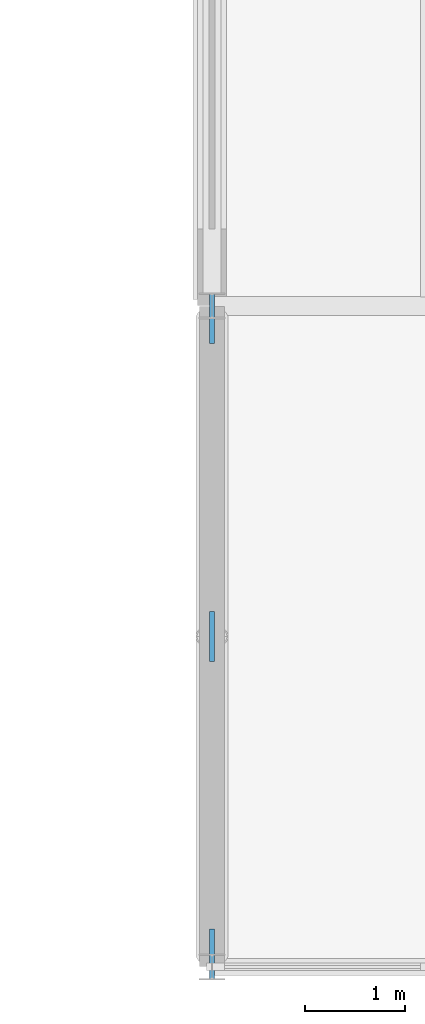
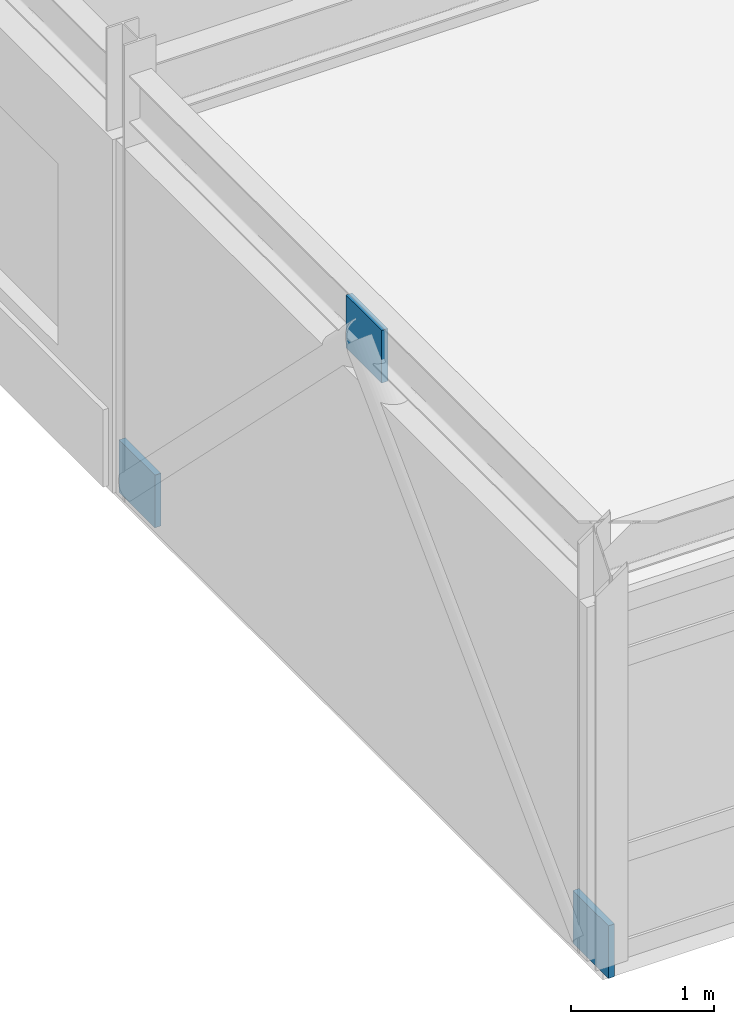
# One storey, part 16 of 26: 3 plates.
"""IFC4 building model written with IfcOpenShell, lengths in metres."""

import ifcopenshell
import ifcopenshell.guid

model = None  # the IFC model being written
_history = None  # IfcOwnerHistory: only IFC2X3 demands one
_inside = {}  # id of a spatial element -> (the spatial element, [elements in it])
_under = {}  # id of a project, library or spatial element -> (it, [spatial elements below it])
_declared = {}  # id of a project -> (the project, [libraries it declares])
_typed = {}  # id of a type object -> (the type object, [elements of that type])
_made_of = {}  # id of a material, layer set ... -> (it, [elements and type objects made of it])


def new_model(schema):
    """Start an empty IFC model of exactly this schema.

    Asked for "IFC4X3", IfcOpenShell would pick the latest addendum, in which some entities
    have other attributes; the version numbers below select the first issue.
    IFC2X3 requires an IfcOwnerHistory on every rooted entity: one is made here for all.
    """
    global model, _history
    if schema == "IFC4X3":
        model = ifcopenshell.file(schema_version=(4, 3, 0, 0))
    else:
        model = ifcopenshell.file(schema=schema)
    _inside.clear()
    _under.clear()
    _declared.clear()
    _typed.clear()
    _made_of.clear()
    _history = None
    if model.schema == "IFC2X3":
        org = make("IfcOrganization", Name="unknown")
        user = make(
            "IfcPersonAndOrganization",
            ThePerson=make("IfcPerson", FamilyName="unknown"),
            TheOrganization=org,
        )
        app = make(
            "IfcApplication",
            ApplicationDeveloper=org,
            Version="unknown",
            ApplicationFullName="unknown",
            ApplicationIdentifier="unknown",
        )
        _history = make(
            "IfcOwnerHistory",
            OwningUser=user,
            OwningApplication=app,
            ChangeAction="ADDED",
            CreationDate=0,
        )
    return model


def make(cls, **values):
    """One entity of the class cls with the attributes given. An attribute that is None is left unset."""
    return model.create_entity(
        cls, **{name: value for name, value in values.items() if value is not None}
    )


def rooted(cls, **values):
    """An entity with a GlobalId (a new one), such as an element, a storey or a relation."""
    return make(cls, GlobalId=ifcopenshell.guid.new(), OwnerHistory=_history, **values)


def si_unit(unit_type, name, prefix=None):
    """IfcSIUnit, for example si_unit("LENGTHUNIT", "METRE", prefix="MILLI")."""
    return make("IfcSIUnit", UnitType=unit_type, Prefix=prefix, Name=name)


def assignment(units):
    """IfcUnitAssignment: the units of a project."""
    return None if units is None else make("IfcUnitAssignment", Units=units)


def point(xyz):
    """IfcCartesianPoint."""
    return None if xyz is None else make("IfcCartesianPoint", Coordinates=xyz)


def direction(xyz):
    """IfcDirection."""
    return None if xyz is None else make("IfcDirection", DirectionRatios=xyz)


def frame(location, z_axis=None, x_axis=None):
    """IfcAxis2Placement3D, a coordinate frame: its origin and axes. An axis left out is left unset."""
    return make(
        "IfcAxis2Placement3D",
        Location=point(location),
        Axis=direction(z_axis),
        RefDirection=direction(x_axis),
    )


def frame_2d(location, x_axis=None):
    """IfcAxis2Placement2D, a coordinate frame in the plane: its origin and x axis."""
    return make(
        "IfcAxis2Placement2D", Location=point(location), RefDirection=direction(x_axis)
    )


def origin():
    """The frame at (0, 0, 0) with its axes left unset."""
    return frame((0.0, 0.0, 0.0))


def origin_2d():
    """The frame at (0, 0) in the plane with its x axis left unset."""
    return frame_2d((0.0, 0.0))


def place(relative_to, where):
    """IfcLocalPlacement: puts the frame where relative to a parent placement (None: the world)."""
    return make(
        "IfcLocalPlacement", PlacementRelTo=relative_to, RelativePlacement=where
    )


def context(
    kind, dimensions, precision=None, world=None, true_north=None, identifier=None
):
    """IfcGeometricRepresentationContext, for example the 3D "Model" context."""
    return make(
        "IfcGeometricRepresentationContext",
        ContextIdentifier=identifier,
        ContextType=kind,
        CoordinateSpaceDimension=dimensions,
        Precision=precision,
        WorldCoordinateSystem=world,
        TrueNorth=true_north,
    )


def subcontext(parent, identifier, kind, view, scale=None):
    """IfcGeometricRepresentationSubContext, for example "Body" below "Model"."""
    return make(
        "IfcGeometricRepresentationSubContext",
        ContextIdentifier=identifier,
        ContextType=kind,
        ParentContext=parent,
        TargetScale=scale,
        TargetView=view,
    )


def project(units=None, contexts=None):
    """IfcProject with its units and contexts."""
    return rooted(
        "IfcProject",
        Name="project",
        RepresentationContexts=contexts,
        UnitsInContext=assignment(units),
    )


def spatial(cls, under=None, at=None, **own):
    """A site, building, storey or space (cls), placed at a placement, below another one or the project."""
    s = rooted(cls, ObjectPlacement=at, **own)
    if under is not None:
        _under.setdefault(under.id(), (under, []))[1].append(s)
    return s


def profile(cls, at=None, kind="AREA", **sizes):
    """A parametric profile (cls). Its sizes go by their IFC names, for example OverallWidth=200.0."""
    return make(cls, ProfileType=kind, Position=at, **sizes)


def rectangle(**sizes):
    """IfcRectangleProfileDef."""
    return profile("IfcRectangleProfileDef", **sizes)


def extrude(swept, where, along, depth):
    """IfcExtrudedAreaSolid: the profile swept, set in the frame where, extruded along a direction by depth."""
    return make(
        "IfcExtrudedAreaSolid",
        SweptArea=swept,
        Position=where,
        ExtrudedDirection=direction(along),
        Depth=depth,
    )


def shape(context_of_items, identifier, shape_type, items):
    """IfcShapeRepresentation: the items that make up one representation, for example the "Body"."""
    return make(
        "IfcShapeRepresentation",
        ContextOfItems=context_of_items,
        RepresentationIdentifier=identifier,
        RepresentationType=shape_type,
        Items=items,
    )


def material(Name=None, Category=None):
    """IfcMaterial."""
    return make("IfcMaterial", Name=Name, Category=Category)


def layer(
    of_material, thickness, ventilated=None, Name=None, Category=None, Priority=None
):
    """IfcMaterialLayer: one layer of a wall or slab, of a material (None: an air gap)."""
    return make(
        "IfcMaterialLayer",
        Material=of_material,
        LayerThickness=thickness,
        IsVentilated=ventilated,
        Name=Name,
        Category=Category,
        Priority=Priority,
    )


def layer_set(layers, Name=None):
    """IfcMaterialLayerSet."""
    return make("IfcMaterialLayerSet", MaterialLayers=layers, LayerSetName=Name)


def made_of(thing, what):
    """Note that an element or type object is made of a material, layer set ...; save() writes the relation."""
    if what is not None:
        _made_of.setdefault(what.id(), (what, []))[1].append(thing)
    return thing


def type_object(cls, material=None, **own):
    """A type object (cls), such as IfcWallType, which elements share."""
    return made_of(rooted(cls, **own), material)


def element(
    cls,
    number,
    at=None,
    inside=None,
    cuts=None,
    type_object=None,
    material=None,
    context=None,
    identifier="Body",
    shape_type=None,
    held_by="IfcProductDefinitionShape",
    body=None,
    shapes=None,
    **own,
):
    """One element of the class cls, such as IfcWall. Its Tag is "e" and its number.

    at: its placement. inside: the storey or other place that contains it. cuts: it is an
    opening in that element (IfcRelVoidsElement). A single representation is given by context,
    identifier, shape_type and body (its items); several are given by shapes. held_by: the class
    of the entity that holds the representations. save() writes the other relations.
    """
    e = rooted(cls, Tag="e%d" % number, ObjectPlacement=at, **own)
    if body is not None:
        shapes = [shape(context, identifier, shape_type, body)]
    if shapes is not None:
        e.Representation = make(held_by, Representations=shapes)
    if inside is not None:
        _inside.setdefault(inside.id(), (inside, []))[1].append(e)
    if cuts is not None:
        rooted(
            "IfcRelVoidsElement", RelatingBuildingElement=cuts, RelatedOpeningElement=e
        )
    if type_object is not None:
        _typed.setdefault(type_object.id(), (type_object, []))[1].append(e)
    return made_of(e, material)


def aggregate(whole, parts):
    """IfcRelAggregates: a whole, such as a stair, and the parts it consists of."""
    return rooted("IfcRelAggregates", RelatingObject=whole, RelatedObjects=parts)


def save(model, path):
    """Write the relations noted so far, then the file.

    IfcRelAggregates (storeys below a building ...), IfcRelContainedInSpatialStructure (elements
    in a storey), IfcRelDefinesByType, IfcRelAssociatesMaterial and IfcRelDeclares: one each for
    every whole, place, type object, material and project.
    """
    for whole, parts in _under.values():
        aggregate(whole, parts)
    for where, things in _inside.values():
        rooted(
            "IfcRelContainedInSpatialStructure",
            RelatedElements=things,
            RelatingStructure=where,
        )
    for kind, things in _typed.values():
        rooted("IfcRelDefinesByType", RelatedObjects=things, RelatingType=kind)
    for what, things in _made_of.values():
        rooted("IfcRelAssociatesMaterial", RelatedObjects=things, RelatingMaterial=what)
    for by, libraries in _declared.values():
        rooted("IfcRelDeclares", RelatingContext=by, RelatedDefinitions=libraries)
    model.write(path)


model = new_model("IFC4")

# Units and contexts
model_context = context("Model", 3, precision=1e-05, world=origin(), true_north=direction((0.0, 1.0)))
body_context = subcontext(model_context, "Body", "Model", "MODEL_VIEW")
ifc_project = project(units=[si_unit("LENGTHUNIT", "METRE"), si_unit("AREAUNIT", "SQUARE_METRE"), si_unit("VOLUMEUNIT", "CUBIC_METRE"), si_unit("PLANEANGLEUNIT", "RADIAN"), si_unit("MASSUNIT", "GRAM", prefix="KILO")], contexts=[model_context])

# Site, building, storey
site_placement = place(None, origin())
site = spatial("IfcSite", under=ifc_project, at=site_placement, CompositionType="ELEMENT")
building_placement = place(site_placement, origin())
building = spatial("IfcBuilding", under=site, at=building_placement, Name="Trelmorton Wharf Fire Station", CompositionType="ELEMENT")
storey_placement = place(building_placement, frame((0.0, 0.0, 17.39990234375)))
storey = spatial("IfcBuildingStorey", under=building, at=storey_placement, Name="L04", CompositionType="ELEMENT", Elevation=17.39990234375)

# Plates
ifc_material = material(Name="Steel Grade 350", Category="steel")
ifc_layer = layer(ifc_material, 0.050048828125)
ifc_layer_set = layer_set([ifc_layer], Name="Steel Grade 350")
plate_type = type_object("IfcPlateType", Name="PL_GUSSET_TN2", PredefinedType="USERDEFINED", material=ifc_layer_set)
for number, where, z_axis, x_axis, name in (
    (1, (110.5, 7.927001953125, -0.10498046875), (0.0, 0.0, 1.0), (1.0, 0.0, 0.0), "PL-CBF-0385"),
    (2, (110.5, 14.27294921875, -0.10498046875), (0.0, 0.0, 1.0), (1.0, 0.0, 0.0), "PL-CBF-0386"),
    (3, (110.5, 11.10009765625, 3.05517578125), (0.0, 0.0, 1.0), (1.0, 0.0, 0.0), "PL-CBF-0387"),
):
    element("IfcPlate", number, at=place(storey_placement, frame(where, z_axis=z_axis, x_axis=x_axis)), inside=storey, type_object=plate_type, Name=name, ObjectType="GUSSET PLATE", PredefinedType="USERDEFINED", context=body_context, shape_type="SweptSolid", body=[
        extrude(rectangle(XDim=0.050048828125, YDim=0.5, at=origin_2d()), origin(), (0.0, 0.0, 1.0), 0.449951171875),
    ])

save(model, "model.ifc")
